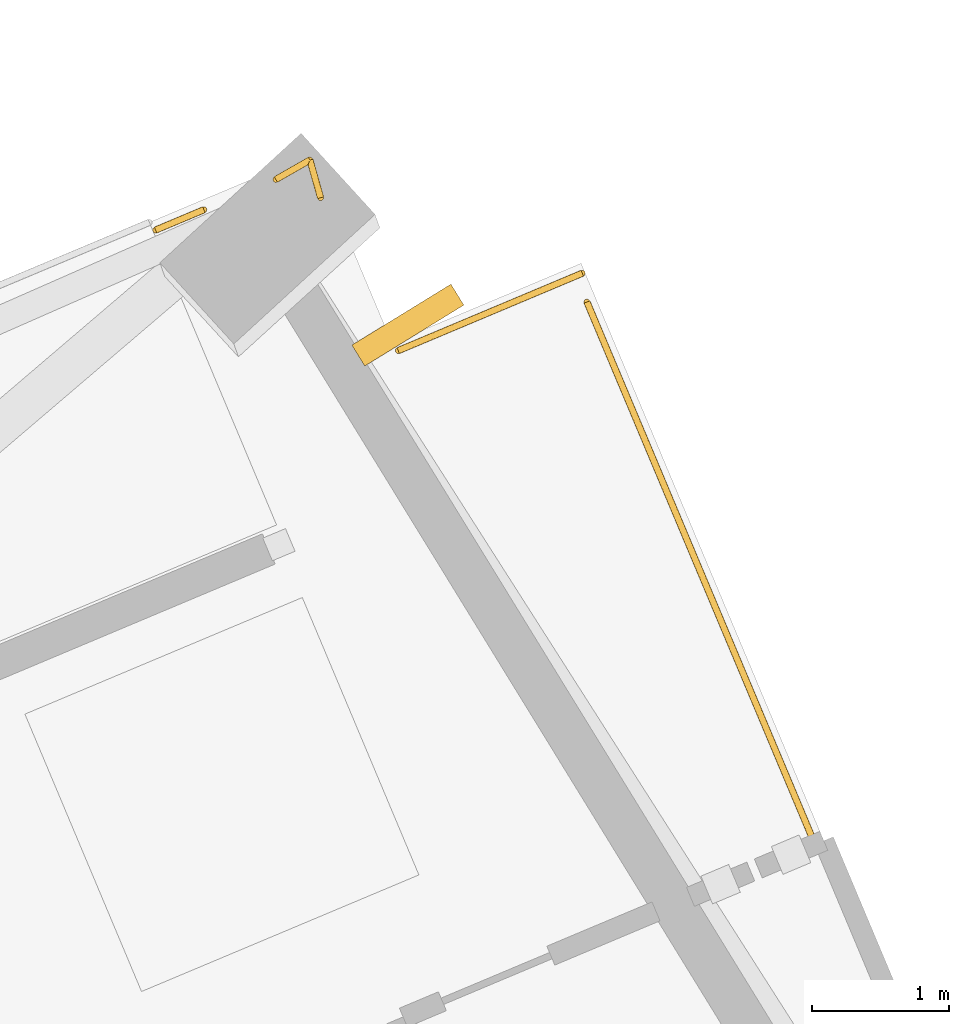
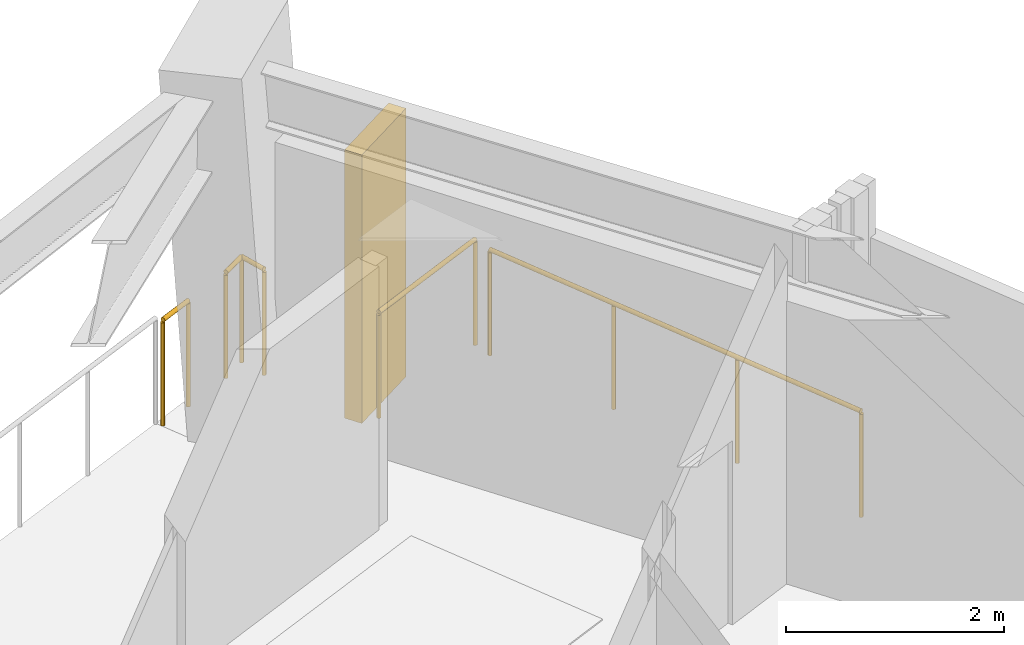
# One storey, part 18 of 18: 4 railings, 1 shading device.
"""IFC4 building model written with IfcOpenShell, lengths in metres."""

from ifc_helpers import new_model, si_unit, direction, frame, origin, origin_2d, place, context, subcontext, project, spatial, rectangle, circle, extrude, material, layer, layer_set, type_object, element, save


model = new_model("IFC4")

# Units and contexts
model_context = context("Model", 3, precision=1e-05, world=origin(), true_north=direction((0.0, 1.0)))
body_context = subcontext(model_context, "Body", "Model", "MODEL_VIEW")
ifc_project = project(units=[si_unit("LENGTHUNIT", "METRE"), si_unit("AREAUNIT", "SQUARE_METRE"), si_unit("VOLUMEUNIT", "CUBIC_METRE"), si_unit("PLANEANGLEUNIT", "RADIAN"), si_unit("MASSUNIT", "GRAM", prefix="KILO")], contexts=[model_context])

# Site, building, storey
site_placement = place(None, origin())
site = spatial("IfcSite", under=ifc_project, at=site_placement, CompositionType="ELEMENT")
building_placement = place(site_placement, origin())
building = spatial("IfcBuilding", under=site, at=building_placement, Name="Gaonmaruhae Medical Tower", CompositionType="ELEMENT")
storey_placement = place(building_placement, frame((0.0, 0.0, 120.39990234375)))
storey = spatial("IfcBuildingStorey", under=building, at=storey_placement, Name="L28", CompositionType="ELEMENT", Elevation=120.39990234375)

# Railings
ifc_material_1 = material(Name="Stainless steel 316L and laminated safety glass", Category="steel")
ifc_layer = layer(ifc_material_1, 0.080078125)
ifc_layer_set = layer_set([ifc_layer], Name="Stainless steel 316L and laminated safety glass")
railing_type = type_object("IfcRailingType", Name="GD-120 Outdoor Terrace Safety Glass & Steel Balustrade", PredefinedType="BALUSTRADE", material=ifc_layer_set)
railing_1_placement = place(storey_placement, frame((54.541259765625, 31.031982421875, 0.0)))
element("IfcRailing", 1, at=railing_1_placement, inside=storey, type_object=railing_type, Name="L28 Perimeter Slab Edge Safety Balustrade 01", PredefinedType="BALUSTRADE", context=body_context, shape_type="SweptSolid", body=[
    extrude(circle(Radius=0.02392578125, at=origin_2d()), frame((0.0, 0.0, 1.17578125), z_axis=(0.921830402865, 0.387593483374, 0.0), x_axis=(-0.387593483374, 0.921830402865, 0.0)), (0.0, 0.0, 1.0), 1.4599609375),
    extrude(circle(Radius=0.02099609375, at=origin_2d()), origin(), (0.0, 0.0, 1.0), 1.15185546875),
    extrude(circle(Radius=0.02099609375, at=origin_2d()), frame((1.345947265625, 0.56591796875, 0.0)), (0.0, 0.0, 1.0), 1.15185546875),
])
railing_2_placement = place(storey_placement, frame((55.92138671875, 31.387451171875, 0.0)))
element("IfcRailing", 2, at=railing_2_placement, inside=storey, type_object=railing_type, Name="L28 Perimeter Slab Edge Safety Balustrade 02", PredefinedType="BALUSTRADE", context=body_context, shape_type="SweptSolid", body=[
    extrude(circle(Radius=0.02392578125, at=origin_2d()), frame((0.0, 0.0, 1.17578125), z_axis=(0.387522337645, -0.921860313619, 0.0), x_axis=(0.921860313619, 0.387522337645, 0.0)), (0.0, 0.0, 1.0), 4.26708984375),
    extrude(circle(Radius=0.02099609375, at=origin_2d()), origin(), (0.0, 0.0, 1.0), 1.15185546875),
    extrude(circle(Radius=0.02099609375, at=origin_2d()), frame((0.55126953125, -1.311279296875, 0.0)), (0.0, 0.0, 1.0), 1.15185546875),
    extrude(circle(Radius=0.02099609375, at=origin_2d()), frame((1.102294921875, -2.622314453125, 0.0)), (0.0, 0.0, 1.0), 1.15185546875),
    extrude(circle(Radius=0.02099609375, at=origin_2d()), frame((1.653564453125, -3.93359375, 0.0)), (0.0, 0.0, 1.0), 1.15185546875),
])
railing_3_placement = place(storey_placement, frame((52.76708984375, 31.913330078125, 0.0)))
element("IfcRailing", 3, at=railing_3_placement, inside=storey, type_object=railing_type, Name="L28 Perimeter Slab Edge Safety Balustrade 08", PredefinedType="BALUSTRADE", context=body_context, shape_type="SweptSolid", body=[
    extrude(circle(Radius=0.02392578125, at=origin_2d()), frame((0.0, 0.0, 1.17578125), z_axis=(0.921791079676, 0.387686994146, 0.0), x_axis=(-0.387686994146, 0.921791079676, 0.0)), (0.0, 0.0, 1.0), 0.383544921875),
    extrude(circle(Radius=0.02099609375, at=origin_2d()), origin(), (0.0, 0.0, 1.0), 1.15185546875),
    extrude(circle(Radius=0.02099609375, at=origin_2d()), frame((0.353515625, 0.148681640625, 0.0)), (0.0, 0.0, 1.0), 1.15185546875),
])
railing_4_placement = place(storey_placement, frame((53.646484375, 32.283203125, 0.0)))
element("IfcRailing", 4, at=railing_4_placement, inside=storey, type_object=railing_type, Name="L28 Perimeter Corner Safety Balustrade 10", PredefinedType="BALUSTRADE", context=body_context, shape_type="SweptSolid", body=[
    extrude(circle(Radius=0.02392578125, at=origin_2d()), frame((0.0, 0.0, 1.17578125), z_axis=(0.868033789806, 0.496505125609, 0.0), x_axis=(-0.496505125609, 0.868033789806, 0.0)), (0.0, 0.0, 1.0), 0.287109375),
    extrude(circle(Radius=0.02392578125, at=origin_2d()), frame((0.249267578125, 0.142578125, 1.17578125), z_axis=(0.272025457334, -0.962290055317, 0.0), x_axis=(0.962290055317, 0.272025457334, 0.0)), (0.0, 0.0, 1.0), 0.287109375),
    extrude(circle(Radius=0.02099609375, at=origin_2d()), origin(), (0.0, 0.0, 1.0), 1.15185546875),
    extrude(circle(Radius=0.02099609375, at=origin_2d()), frame((0.249267578125, 0.142578125, 0.0)), (0.0, 0.0, 1.0), 1.15185546875),
    extrude(circle(Radius=0.02099609375, at=origin_2d()), frame((0.327392578125, -0.1337890625, 0.0)), (0.0, 0.0, 1.0), 1.15185546875),
])

# Shading device
ifc_material_2 = material(Name="Pigmented coral precast concrete C45/55", Category="concrete")
shading_device_type = type_object("IfcShadingDeviceType", Name="SD-FIN1 Tower Vertical Coral Precast Shading Fin", PredefinedType="USERDEFINED", material=ifc_material_2)
shading_device_placement = place(storey_placement, frame((54.611572265625, 31.218505859375, 0.08251953125), z_axis=(0.0, 0.0, 1.0), x_axis=(0.523837243597, -0.851818373963, 0.0)))
element("IfcShadingDevice", 5, at=shading_device_placement, inside=storey, type_object=shading_device_type, Name="L28 Vertical Coral Precast Shading Fin E02", ObjectType="FIN", PredefinedType="USERDEFINED", context=body_context, shape_type="SweptSolid", body=[
    extrude(rectangle(XDim=0.179931640625, YDim=0.85009765625, at=origin_2d()), origin(), (0.0, 0.0, 1.0), 3.0),
])

save(model, "model.ifc")
